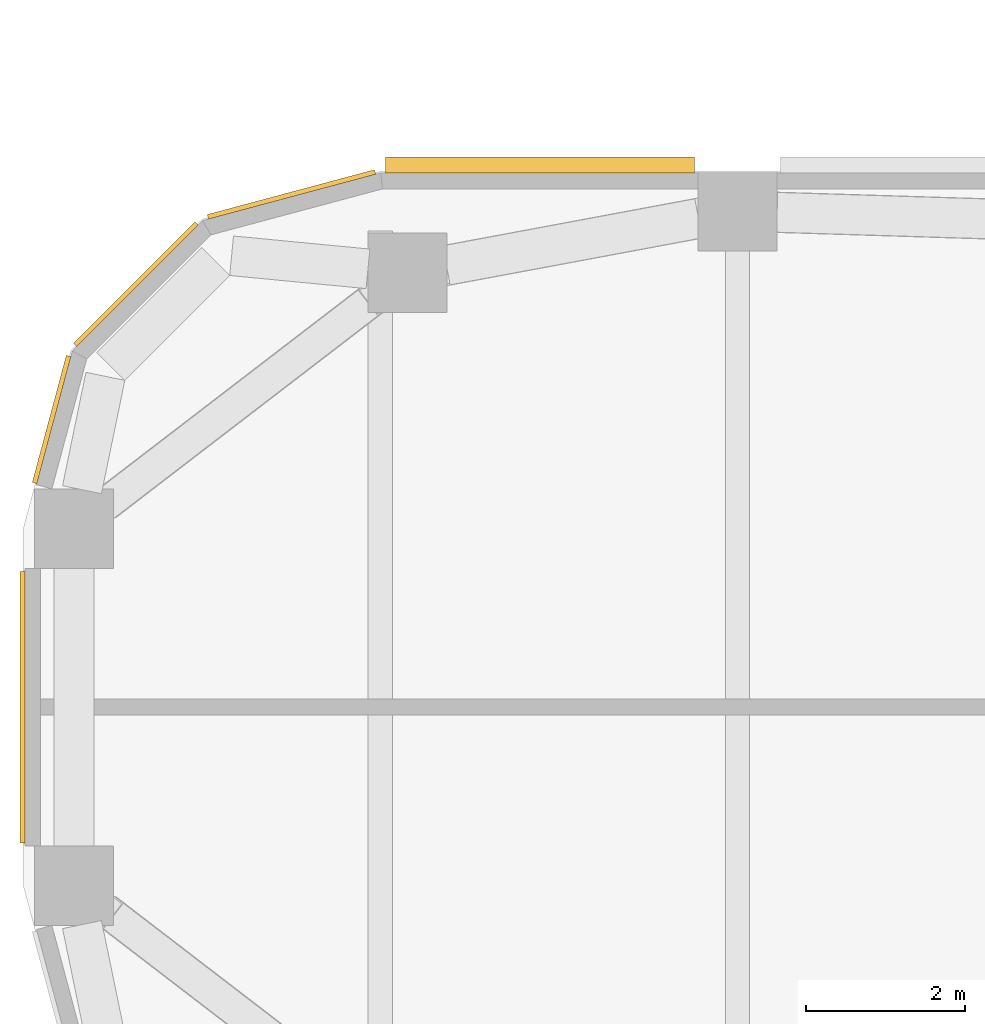
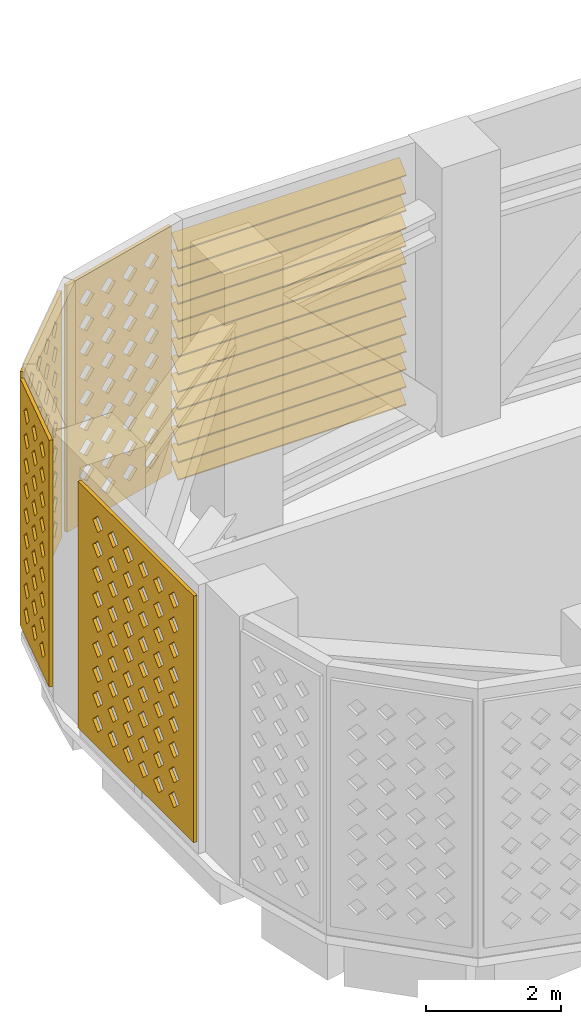
# One storey, part 14 of 20: 4 coverings, 1 shading device.
"""IFC4 building model written with IfcOpenShell, lengths in metres."""

from ifc_helpers import new_model, si_unit, direction, frame, origin, place, context, subcontext, project, spatial, polyline, outline, extrude, source, transform, mapped, material, layer, layer_set, type_object, element, save


model = new_model("IFC4")

# Units and contexts
model_context = context("Model", 3, precision=1e-05, world=origin(), true_north=direction((0.0, 1.0)))
body_context = subcontext(model_context, "Body", "Model", "MODEL_VIEW")
ifc_project = project(units=[si_unit("LENGTHUNIT", "METRE"), si_unit("AREAUNIT", "SQUARE_METRE"), si_unit("VOLUMEUNIT", "CUBIC_METRE"), si_unit("PLANEANGLEUNIT", "RADIAN"), si_unit("MASSUNIT", "GRAM", prefix="KILO")], contexts=[model_context])

# Site, building, storey
site_placement = place(None, origin())
site = spatial("IfcSite", under=ifc_project, at=site_placement, CompositionType="ELEMENT")
building_placement = place(site_placement, origin())
building = spatial("IfcBuilding", under=site, at=building_placement, Name="Zarbagh Exchange Tower", CompositionType="ELEMENT")
storey_placement = place(building_placement, frame((0.0, 0.0, 81.60009765625)))
storey = spatial("IfcBuildingStorey", under=building, at=storey_placement, Name="L18", CompositionType="ELEMENT", Elevation=81.60009765625)

# Coverings
ifc_material_1 = material(Name="Glass-fibre reinforced concrete GFRC C50/60", Category="concrete")
ifc_layer = layer(ifc_material_1, 0.06005859375)
ifc_layer_set = layer_set([ifc_layer], Name="SCREEN jali panel, GFRC")
covering_type = type_object("IfcCoveringType", Name="SCREEN jali panel, GFRC", PredefinedType="CLADDING", material=ifc_layer_set)
shared_shape_1 = source(origin(), body_context, "Body", "SweptSolid", [
    extrude(outline(polyline([(0.0, 0.0), (1.656005859375, 0.0), (1.656005859375, 4.449951171875), (0.0, 4.449951171875), (0.0, 0.0)]), holes=[polyline([(0.22802734375, 0.425048828125), (0.3779296875, 0.27490234375), (0.528076171875, 0.425048828125), (0.3779296875, 0.574951171875), (0.22802734375, 0.425048828125)]), polyline([(0.22802734375, 0.875), (0.3779296875, 0.72509765625), (0.528076171875, 0.875), (0.3779296875, 1.02490234375), (0.22802734375, 0.875)]), polyline([(0.22802734375, 1.324951171875), (0.3779296875, 1.175048828125), (0.528076171875, 1.324951171875), (0.3779296875, 1.47509765625), (0.22802734375, 1.324951171875)]), polyline([(0.22802734375, 1.77490234375), (0.3779296875, 1.625), (0.528076171875, 1.77490234375), (0.3779296875, 1.925048828125), (0.22802734375, 1.77490234375)]), polyline([(0.22802734375, 2.22509765625), (0.3779296875, 2.074951171875), (0.528076171875, 2.22509765625), (0.3779296875, 2.375), (0.22802734375, 2.22509765625)]), polyline([(0.22802734375, 2.675048828125), (0.3779296875, 2.52490234375), (0.528076171875, 2.675048828125), (0.3779296875, 2.824951171875), (0.22802734375, 2.675048828125)]), polyline([(0.22802734375, 3.125), (0.3779296875, 2.97509765625), (0.528076171875, 3.125), (0.3779296875, 3.27490234375), (0.22802734375, 3.125)]), polyline([(0.22802734375, 3.574951171875), (0.3779296875, 3.425048828125), (0.528076171875, 3.574951171875), (0.3779296875, 3.72509765625), (0.22802734375, 3.574951171875)]), polyline([(0.22802734375, 4.02490234375), (0.3779296875, 3.875), (0.528076171875, 4.02490234375), (0.3779296875, 4.175048828125), (0.22802734375, 4.02490234375)]), polyline([(0.677978515625, 0.425048828125), (0.827880859375, 0.27490234375), (0.97802734375, 0.425048828125), (0.827880859375, 0.574951171875), (0.677978515625, 0.425048828125)]), polyline([(0.677978515625, 0.875), (0.827880859375, 0.72509765625), (0.97802734375, 0.875), (0.827880859375, 1.02490234375), (0.677978515625, 0.875)]), polyline([(0.677978515625, 1.324951171875), (0.827880859375, 1.175048828125), (0.97802734375, 1.324951171875), (0.827880859375, 1.47509765625), (0.677978515625, 1.324951171875)]), polyline([(0.677978515625, 1.77490234375), (0.827880859375, 1.625), (0.97802734375, 1.77490234375), (0.827880859375, 1.925048828125), (0.677978515625, 1.77490234375)]), polyline([(0.677978515625, 2.22509765625), (0.827880859375, 2.074951171875), (0.97802734375, 2.22509765625), (0.827880859375, 2.375), (0.677978515625, 2.22509765625)]), polyline([(0.677978515625, 2.675048828125), (0.827880859375, 2.52490234375), (0.97802734375, 2.675048828125), (0.827880859375, 2.824951171875), (0.677978515625, 2.675048828125)]), polyline([(0.677978515625, 3.125), (0.827880859375, 2.97509765625), (0.97802734375, 3.125), (0.827880859375, 3.27490234375), (0.677978515625, 3.125)]), polyline([(0.677978515625, 3.574951171875), (0.827880859375, 3.425048828125), (0.97802734375, 3.574951171875), (0.827880859375, 3.72509765625), (0.677978515625, 3.574951171875)]), polyline([(0.677978515625, 4.02490234375), (0.827880859375, 3.875), (0.97802734375, 4.02490234375), (0.827880859375, 4.175048828125), (0.677978515625, 4.02490234375)]), polyline([(1.1279296875, 0.425048828125), (1.278076171875, 0.27490234375), (1.427978515625, 0.425048828125), (1.278076171875, 0.574951171875), (1.1279296875, 0.425048828125)]), polyline([(1.1279296875, 0.875), (1.278076171875, 0.72509765625), (1.427978515625, 0.875), (1.278076171875, 1.02490234375), (1.1279296875, 0.875)]), polyline([(1.1279296875, 1.324951171875), (1.278076171875, 1.175048828125), (1.427978515625, 1.324951171875), (1.278076171875, 1.47509765625), (1.1279296875, 1.324951171875)]), polyline([(1.1279296875, 1.77490234375), (1.278076171875, 1.625), (1.427978515625, 1.77490234375), (1.278076171875, 1.925048828125), (1.1279296875, 1.77490234375)]), polyline([(1.1279296875, 2.22509765625), (1.278076171875, 2.074951171875), (1.427978515625, 2.22509765625), (1.278076171875, 2.375), (1.1279296875, 2.22509765625)]), polyline([(1.1279296875, 2.675048828125), (1.278076171875, 2.52490234375), (1.427978515625, 2.675048828125), (1.278076171875, 2.824951171875), (1.1279296875, 2.675048828125)]), polyline([(1.1279296875, 3.125), (1.278076171875, 2.97509765625), (1.427978515625, 3.125), (1.278076171875, 3.27490234375), (1.1279296875, 3.125)]), polyline([(1.1279296875, 3.574951171875), (1.278076171875, 3.425048828125), (1.427978515625, 3.574951171875), (1.278076171875, 3.72509765625), (1.1279296875, 3.574951171875)]), polyline([(1.1279296875, 4.02490234375), (1.278076171875, 3.875), (1.427978515625, 4.02490234375), (1.278076171875, 4.175048828125), (1.1279296875, 4.02490234375)])]), origin(), (0.0, 0.0, 1.0), 0.06005859375),
])
placement = place(storey_placement, origin())
element("IfcCovering", 1, at=placement, inside=storey, type_object=covering_type, Name="JS29 jali screen", PredefinedType="CLADDING", context=body_context, shape_type="MappedRepresentation", body=[
    mapped(shared_shape_1, transform((-33.14892578125, 4.41552734375, 0.199951171875), x_axis=(-0.258825057666, -0.965924215207, 0.0), y_axis=(0.0, 0.0, 1.0), z_axis=(-0.965924215207, 0.258825057666, 0.0))),
])
shared_shape_2 = source(origin(), body_context, "Body", "SweptSolid", [
    extrude(outline(polyline([(0.0, 0.0), (2.1650390625, 0.0), (2.1650390625, 4.449951171875), (0.0, 4.449951171875), (0.0, 0.0)]), holes=[polyline([(0.257568359375, 0.425048828125), (0.407470703125, 0.27490234375), (0.5576171875, 0.425048828125), (0.407470703125, 0.574951171875), (0.257568359375, 0.425048828125)]), polyline([(0.257568359375, 0.875), (0.407470703125, 0.72509765625), (0.5576171875, 0.875), (0.407470703125, 1.02490234375), (0.257568359375, 0.875)]), polyline([(0.257568359375, 1.324951171875), (0.407470703125, 1.175048828125), (0.5576171875, 1.324951171875), (0.407470703125, 1.47509765625), (0.257568359375, 1.324951171875)]), polyline([(0.257568359375, 1.77490234375), (0.407470703125, 1.625), (0.5576171875, 1.77490234375), (0.407470703125, 1.925048828125), (0.257568359375, 1.77490234375)]), polyline([(0.257568359375, 2.22509765625), (0.407470703125, 2.074951171875), (0.5576171875, 2.22509765625), (0.407470703125, 2.375), (0.257568359375, 2.22509765625)]), polyline([(0.257568359375, 2.675048828125), (0.407470703125, 2.52490234375), (0.5576171875, 2.675048828125), (0.407470703125, 2.824951171875), (0.257568359375, 2.675048828125)]), polyline([(0.257568359375, 3.125), (0.407470703125, 2.97509765625), (0.5576171875, 3.125), (0.407470703125, 3.27490234375), (0.257568359375, 3.125)]), polyline([(0.257568359375, 3.574951171875), (0.407470703125, 3.425048828125), (0.5576171875, 3.574951171875), (0.407470703125, 3.72509765625), (0.257568359375, 3.574951171875)]), polyline([(0.257568359375, 4.02490234375), (0.407470703125, 3.875), (0.5576171875, 4.02490234375), (0.407470703125, 4.175048828125), (0.257568359375, 4.02490234375)]), polyline([(0.70751953125, 0.425048828125), (0.857421875, 0.27490234375), (1.007568359375, 0.425048828125), (0.857421875, 0.574951171875), (0.70751953125, 0.425048828125)]), polyline([(0.70751953125, 0.875), (0.857421875, 0.72509765625), (1.007568359375, 0.875), (0.857421875, 1.02490234375), (0.70751953125, 0.875)]), polyline([(0.70751953125, 1.324951171875), (0.857421875, 1.175048828125), (1.007568359375, 1.324951171875), (0.857421875, 1.47509765625), (0.70751953125, 1.324951171875)]), polyline([(0.70751953125, 1.77490234375), (0.857421875, 1.625), (1.007568359375, 1.77490234375), (0.857421875, 1.925048828125), (0.70751953125, 1.77490234375)]), polyline([(0.70751953125, 2.22509765625), (0.857421875, 2.074951171875), (1.007568359375, 2.22509765625), (0.857421875, 2.375), (0.70751953125, 2.22509765625)]), polyline([(0.70751953125, 2.675048828125), (0.857421875, 2.52490234375), (1.007568359375, 2.675048828125), (0.857421875, 2.824951171875), (0.70751953125, 2.675048828125)]), polyline([(0.70751953125, 3.125), (0.857421875, 2.97509765625), (1.007568359375, 3.125), (0.857421875, 3.27490234375), (0.70751953125, 3.125)]), polyline([(0.70751953125, 3.574951171875), (0.857421875, 3.425048828125), (1.007568359375, 3.574951171875), (0.857421875, 3.72509765625), (0.70751953125, 3.574951171875)]), polyline([(0.70751953125, 4.02490234375), (0.857421875, 3.875), (1.007568359375, 4.02490234375), (0.857421875, 4.175048828125), (0.70751953125, 4.02490234375)]), polyline([(1.157470703125, 0.425048828125), (1.3076171875, 0.27490234375), (1.45751953125, 0.425048828125), (1.3076171875, 0.574951171875), (1.157470703125, 0.425048828125)]), polyline([(1.157470703125, 0.875), (1.3076171875, 0.72509765625), (1.45751953125, 0.875), (1.3076171875, 1.02490234375), (1.157470703125, 0.875)]), polyline([(1.157470703125, 1.324951171875), (1.3076171875, 1.175048828125), (1.45751953125, 1.324951171875), (1.3076171875, 1.47509765625), (1.157470703125, 1.324951171875)]), polyline([(1.157470703125, 1.77490234375), (1.3076171875, 1.625), (1.45751953125, 1.77490234375), (1.3076171875, 1.925048828125), (1.157470703125, 1.77490234375)]), polyline([(1.157470703125, 2.22509765625), (1.3076171875, 2.074951171875), (1.45751953125, 2.22509765625), (1.3076171875, 2.375), (1.157470703125, 2.22509765625)]), polyline([(1.157470703125, 2.675048828125), (1.3076171875, 2.52490234375), (1.45751953125, 2.675048828125), (1.3076171875, 2.824951171875), (1.157470703125, 2.675048828125)]), polyline([(1.157470703125, 3.125), (1.3076171875, 2.97509765625), (1.45751953125, 3.125), (1.3076171875, 3.27490234375), (1.157470703125, 3.125)]), polyline([(1.157470703125, 3.574951171875), (1.3076171875, 3.425048828125), (1.45751953125, 3.574951171875), (1.3076171875, 3.72509765625), (1.157470703125, 3.574951171875)]), polyline([(1.157470703125, 4.02490234375), (1.3076171875, 3.875), (1.45751953125, 4.02490234375), (1.3076171875, 4.175048828125), (1.157470703125, 4.02490234375)]), polyline([(1.607421875, 0.425048828125), (1.757568359375, 0.27490234375), (1.907470703125, 0.425048828125), (1.757568359375, 0.574951171875), (1.607421875, 0.425048828125)]), polyline([(1.607421875, 0.875), (1.757568359375, 0.72509765625), (1.907470703125, 0.875), (1.757568359375, 1.02490234375), (1.607421875, 0.875)]), polyline([(1.607421875, 1.324951171875), (1.757568359375, 1.175048828125), (1.907470703125, 1.324951171875), (1.757568359375, 1.47509765625), (1.607421875, 1.324951171875)]), polyline([(1.607421875, 1.77490234375), (1.757568359375, 1.625), (1.907470703125, 1.77490234375), (1.757568359375, 1.925048828125), (1.607421875, 1.77490234375)]), polyline([(1.607421875, 2.22509765625), (1.757568359375, 2.074951171875), (1.907470703125, 2.22509765625), (1.757568359375, 2.375), (1.607421875, 2.22509765625)]), polyline([(1.607421875, 2.675048828125), (1.757568359375, 2.52490234375), (1.907470703125, 2.675048828125), (1.757568359375, 2.824951171875), (1.607421875, 2.675048828125)]), polyline([(1.607421875, 3.125), (1.757568359375, 2.97509765625), (1.907470703125, 3.125), (1.757568359375, 3.27490234375), (1.607421875, 3.125)]), polyline([(1.607421875, 3.574951171875), (1.757568359375, 3.425048828125), (1.907470703125, 3.574951171875), (1.757568359375, 3.72509765625), (1.607421875, 3.574951171875)]), polyline([(1.607421875, 4.02490234375), (1.757568359375, 3.875), (1.907470703125, 4.02490234375), (1.757568359375, 4.175048828125), (1.607421875, 4.02490234375)])]), origin(), (0.0, 0.0, 1.0), 0.06005859375),
])
element("IfcCovering", 2, at=placement, inside=storey, type_object=covering_type, Name="JS28 jali screen", PredefinedType="CLADDING", context=body_context, shape_type="MappedRepresentation", body=[
    mapped(shared_shape_2, transform((-31.5439453125, 6.074951171875, 0.199951171875), x_axis=(-0.707106781187, -0.707106781187, 0.0), y_axis=(0.0, 0.0, 1.0), z_axis=(-0.707106781187, 0.707106781187, 0.0))),
])
shared_shape_3 = source(origin(), body_context, "Body", "SweptSolid", [
    extrude(outline(polyline([(0.0, 0.0), (2.181396484375, 0.0), (2.181396484375, 4.449951171875), (0.0, 4.449951171875), (0.0, 0.0)]), holes=[polyline([(0.265625, 0.425048828125), (0.415771484375, 0.27490234375), (0.565673828125, 0.425048828125), (0.415771484375, 0.574951171875), (0.265625, 0.425048828125)]), polyline([(0.265625, 0.875), (0.415771484375, 0.72509765625), (0.565673828125, 0.875), (0.415771484375, 1.02490234375), (0.265625, 0.875)]), polyline([(0.265625, 1.324951171875), (0.415771484375, 1.175048828125), (0.565673828125, 1.324951171875), (0.415771484375, 1.47509765625), (0.265625, 1.324951171875)]), polyline([(0.265625, 1.77490234375), (0.415771484375, 1.625), (0.565673828125, 1.77490234375), (0.415771484375, 1.925048828125), (0.265625, 1.77490234375)]), polyline([(0.265625, 2.22509765625), (0.415771484375, 2.074951171875), (0.565673828125, 2.22509765625), (0.415771484375, 2.375), (0.265625, 2.22509765625)]), polyline([(0.265625, 2.675048828125), (0.415771484375, 2.52490234375), (0.565673828125, 2.675048828125), (0.415771484375, 2.824951171875), (0.265625, 2.675048828125)]), polyline([(0.265625, 3.125), (0.415771484375, 2.97509765625), (0.565673828125, 3.125), (0.415771484375, 3.27490234375), (0.265625, 3.125)]), polyline([(0.265625, 3.574951171875), (0.415771484375, 3.425048828125), (0.565673828125, 3.574951171875), (0.415771484375, 3.72509765625), (0.265625, 3.574951171875)]), polyline([(0.265625, 4.02490234375), (0.415771484375, 3.875), (0.565673828125, 4.02490234375), (0.415771484375, 4.175048828125), (0.265625, 4.02490234375)]), polyline([(0.7158203125, 0.425048828125), (0.86572265625, 0.27490234375), (1.015625, 0.425048828125), (0.86572265625, 0.574951171875), (0.7158203125, 0.425048828125)]), polyline([(0.7158203125, 0.875), (0.86572265625, 0.72509765625), (1.015625, 0.875), (0.86572265625, 1.02490234375), (0.7158203125, 0.875)]), polyline([(0.7158203125, 1.324951171875), (0.86572265625, 1.175048828125), (1.015625, 1.324951171875), (0.86572265625, 1.47509765625), (0.7158203125, 1.324951171875)]), polyline([(0.7158203125, 1.77490234375), (0.86572265625, 1.625), (1.015625, 1.77490234375), (0.86572265625, 1.925048828125), (0.7158203125, 1.77490234375)]), polyline([(0.7158203125, 2.22509765625), (0.86572265625, 2.074951171875), (1.015625, 2.22509765625), (0.86572265625, 2.375), (0.7158203125, 2.22509765625)]), polyline([(0.7158203125, 2.675048828125), (0.86572265625, 2.52490234375), (1.015625, 2.675048828125), (0.86572265625, 2.824951171875), (0.7158203125, 2.675048828125)]), polyline([(0.7158203125, 3.125), (0.86572265625, 2.97509765625), (1.015625, 3.125), (0.86572265625, 3.27490234375), (0.7158203125, 3.125)]), polyline([(0.7158203125, 3.574951171875), (0.86572265625, 3.425048828125), (1.015625, 3.574951171875), (0.86572265625, 3.72509765625), (0.7158203125, 3.574951171875)]), polyline([(0.7158203125, 4.02490234375), (0.86572265625, 3.875), (1.015625, 4.02490234375), (0.86572265625, 4.175048828125), (0.7158203125, 4.02490234375)]), polyline([(1.165771484375, 0.425048828125), (1.315673828125, 0.27490234375), (1.4658203125, 0.425048828125), (1.315673828125, 0.574951171875), (1.165771484375, 0.425048828125)]), polyline([(1.165771484375, 0.875), (1.315673828125, 0.72509765625), (1.4658203125, 0.875), (1.315673828125, 1.02490234375), (1.165771484375, 0.875)]), polyline([(1.165771484375, 1.324951171875), (1.315673828125, 1.175048828125), (1.4658203125, 1.324951171875), (1.315673828125, 1.47509765625), (1.165771484375, 1.324951171875)]), polyline([(1.165771484375, 1.77490234375), (1.315673828125, 1.625), (1.4658203125, 1.77490234375), (1.315673828125, 1.925048828125), (1.165771484375, 1.77490234375)]), polyline([(1.165771484375, 2.22509765625), (1.315673828125, 2.074951171875), (1.4658203125, 2.22509765625), (1.315673828125, 2.375), (1.165771484375, 2.22509765625)]), polyline([(1.165771484375, 2.675048828125), (1.315673828125, 2.52490234375), (1.4658203125, 2.675048828125), (1.315673828125, 2.824951171875), (1.165771484375, 2.675048828125)]), polyline([(1.165771484375, 3.125), (1.315673828125, 2.97509765625), (1.4658203125, 3.125), (1.315673828125, 3.27490234375), (1.165771484375, 3.125)]), polyline([(1.165771484375, 3.574951171875), (1.315673828125, 3.425048828125), (1.4658203125, 3.574951171875), (1.315673828125, 3.72509765625), (1.165771484375, 3.574951171875)]), polyline([(1.165771484375, 4.02490234375), (1.315673828125, 3.875), (1.4658203125, 4.02490234375), (1.315673828125, 4.175048828125), (1.165771484375, 4.02490234375)]), polyline([(1.61572265625, 0.425048828125), (1.765625, 0.27490234375), (1.915771484375, 0.425048828125), (1.765625, 0.574951171875), (1.61572265625, 0.425048828125)]), polyline([(1.61572265625, 0.875), (1.765625, 0.72509765625), (1.915771484375, 0.875), (1.765625, 1.02490234375), (1.61572265625, 0.875)]), polyline([(1.61572265625, 1.324951171875), (1.765625, 1.175048828125), (1.915771484375, 1.324951171875), (1.765625, 1.47509765625), (1.61572265625, 1.324951171875)]), polyline([(1.61572265625, 1.77490234375), (1.765625, 1.625), (1.915771484375, 1.77490234375), (1.765625, 1.925048828125), (1.61572265625, 1.77490234375)]), polyline([(1.61572265625, 2.22509765625), (1.765625, 2.074951171875), (1.915771484375, 2.22509765625), (1.765625, 2.375), (1.61572265625, 2.22509765625)]), polyline([(1.61572265625, 2.675048828125), (1.765625, 2.52490234375), (1.915771484375, 2.675048828125), (1.765625, 2.824951171875), (1.61572265625, 2.675048828125)]), polyline([(1.61572265625, 3.125), (1.765625, 2.97509765625), (1.915771484375, 3.125), (1.765625, 3.27490234375), (1.61572265625, 3.125)]), polyline([(1.61572265625, 3.574951171875), (1.765625, 3.425048828125), (1.915771484375, 3.574951171875), (1.765625, 3.72509765625), (1.61572265625, 3.574951171875)]), polyline([(1.61572265625, 4.02490234375), (1.765625, 3.875), (1.915771484375, 4.02490234375), (1.765625, 4.175048828125), (1.61572265625, 4.02490234375)])]), origin(), (0.0, 0.0, 1.0), 0.06005859375),
])
element("IfcCovering", 3, at=placement, inside=storey, type_object=covering_type, Name="JS27 jali screen", PredefinedType="CLADDING", context=body_context, shape_type="MappedRepresentation", body=[
    mapped(shared_shape_3, transform((-29.308349609375, 6.713623046875, 0.199951171875), x_axis=(-0.965924215207, -0.258825057666, 0.0), y_axis=(0.0, 0.0, 1.0), z_axis=(-0.258825057666, 0.965924215207, 0.0))),
])

# Shading device
ifc_material_2 = material(Name="Anodised aluminium", Category="aluminium")
shading_device_type = type_object("IfcShadingDeviceType", Name="LOUVRE plant louvre, fixed blades", PredefinedType="USERDEFINED", material=ifc_material_2)
shared_shape_4 = source(origin(), body_context, "Body", "SweptSolid", [
    extrude(outline(polyline([(0.0, 0.199951171875), (0.199951171875, 0.0), (0.199951171875, -0.02001953125), (0.0, 0.179931640625), (0.0, 0.199951171875)])), origin(), (0.0, 0.0, 1.0), 3.894287109375),
])
element("IfcShadingDevice", 4, at=placement, inside=storey, type_object=shading_device_type, Name="LV06 plant louvre", ObjectType="LOUVRE", PredefinedType="USERDEFINED", context=body_context, shape_type="MappedRepresentation", body=[
    mapped(shared_shape_4, transform((-25.2900390625, 6.72998046875, 0.199951171875), x_axis=(0.0, 1.0, 0.0), y_axis=(0.0, 0.0, -1.0), z_axis=(-1.0, 0.0, 0.0))),
    mapped(shared_shape_4, transform((-25.2900390625, 6.72998046875, 0.517822265625), x_axis=(0.0, 1.0, 0.0), y_axis=(0.0, 0.0, -1.0), z_axis=(-1.0, 0.0, 0.0))),
    mapped(shared_shape_4, transform((-25.2900390625, 6.72998046875, 0.835693359375), x_axis=(0.0, 1.0, 0.0), y_axis=(0.0, 0.0, -1.0), z_axis=(-1.0, 0.0, 0.0))),
    mapped(shared_shape_4, transform((-25.2900390625, 6.72998046875, 1.153564453125), x_axis=(0.0, 1.0, 0.0), y_axis=(0.0, 0.0, -1.0), z_axis=(-1.0, 0.0, 0.0))),
    mapped(shared_shape_4, transform((-25.2900390625, 6.72998046875, 1.471435546875), x_axis=(0.0, 1.0, 0.0), y_axis=(0.0, 0.0, -1.0), z_axis=(-1.0, 0.0, 0.0))),
    mapped(shared_shape_4, transform((-25.2900390625, 6.72998046875, 1.789306640625), x_axis=(0.0, 1.0, 0.0), y_axis=(0.0, 0.0, -1.0), z_axis=(-1.0, 0.0, 0.0))),
    mapped(shared_shape_4, transform((-25.2900390625, 6.72998046875, 2.10693359375), x_axis=(0.0, 1.0, 0.0), y_axis=(0.0, 0.0, -1.0), z_axis=(-1.0, 0.0, 0.0))),
    mapped(shared_shape_4, transform((-25.2900390625, 6.72998046875, 2.4248046875), x_axis=(0.0, 1.0, 0.0), y_axis=(0.0, 0.0, -1.0), z_axis=(-1.0, 0.0, 0.0))),
    mapped(shared_shape_4, transform((-25.2900390625, 6.72998046875, 2.74267578125), x_axis=(0.0, 1.0, 0.0), y_axis=(0.0, 0.0, -1.0), z_axis=(-1.0, 0.0, 0.0))),
    mapped(shared_shape_4, transform((-25.2900390625, 6.72998046875, 3.060546875), x_axis=(0.0, 1.0, 0.0), y_axis=(0.0, 0.0, -1.0), z_axis=(-1.0, 0.0, 0.0))),
    mapped(shared_shape_4, transform((-25.2900390625, 6.72998046875, 3.37841796875), x_axis=(0.0, 1.0, 0.0), y_axis=(0.0, 0.0, -1.0), z_axis=(-1.0, 0.0, 0.0))),
    mapped(shared_shape_4, transform((-25.2900390625, 6.72998046875, 3.6962890625), x_axis=(0.0, 1.0, 0.0), y_axis=(0.0, 0.0, -1.0), z_axis=(-1.0, 0.0, 0.0))),
    mapped(shared_shape_4, transform((-25.2900390625, 6.72998046875, 4.01416015625), x_axis=(0.0, 1.0, 0.0), y_axis=(0.0, 0.0, -1.0), z_axis=(-1.0, 0.0, 0.0))),
    mapped(shared_shape_4, transform((-25.2900390625, 6.72998046875, 4.33203125), x_axis=(0.0, 1.0, 0.0), y_axis=(0.0, 0.0, -1.0), z_axis=(-1.0, 0.0, 0.0))),
])

# Covering
shared_shape_5 = source(origin(), body_context, "Body", "SweptSolid", [
    extrude(outline(polyline([(0.0, 0.0), (3.419921875, 0.0), (3.419921875, 4.449951171875), (0.0, 4.449951171875), (0.0, 0.0)]), holes=[polyline([(0.43505859375, 0.425048828125), (0.5849609375, 0.27490234375), (0.735107421875, 0.425048828125), (0.5849609375, 0.574951171875), (0.43505859375, 0.425048828125)]), polyline([(0.43505859375, 0.875), (0.5849609375, 0.72509765625), (0.735107421875, 0.875), (0.5849609375, 1.02490234375), (0.43505859375, 0.875)]), polyline([(0.43505859375, 1.324951171875), (0.5849609375, 1.175048828125), (0.735107421875, 1.324951171875), (0.5849609375, 1.47509765625), (0.43505859375, 1.324951171875)]), polyline([(0.43505859375, 1.77490234375), (0.5849609375, 1.625), (0.735107421875, 1.77490234375), (0.5849609375, 1.925048828125), (0.43505859375, 1.77490234375)]), polyline([(0.43505859375, 2.22509765625), (0.5849609375, 2.074951171875), (0.735107421875, 2.22509765625), (0.5849609375, 2.375), (0.43505859375, 2.22509765625)]), polyline([(0.43505859375, 2.675048828125), (0.5849609375, 2.52490234375), (0.735107421875, 2.675048828125), (0.5849609375, 2.824951171875), (0.43505859375, 2.675048828125)]), polyline([(0.43505859375, 3.125), (0.5849609375, 2.97509765625), (0.735107421875, 3.125), (0.5849609375, 3.27490234375), (0.43505859375, 3.125)]), polyline([(0.43505859375, 3.574951171875), (0.5849609375, 3.425048828125), (0.735107421875, 3.574951171875), (0.5849609375, 3.72509765625), (0.43505859375, 3.574951171875)]), polyline([(0.43505859375, 4.02490234375), (0.5849609375, 3.875), (0.735107421875, 4.02490234375), (0.5849609375, 4.175048828125), (0.43505859375, 4.02490234375)]), polyline([(0.885009765625, 0.425048828125), (1.034912109375, 0.27490234375), (1.18505859375, 0.425048828125), (1.034912109375, 0.574951171875), (0.885009765625, 0.425048828125)]), polyline([(0.885009765625, 0.875), (1.034912109375, 0.72509765625), (1.18505859375, 0.875), (1.034912109375, 1.02490234375), (0.885009765625, 0.875)]), polyline([(0.885009765625, 1.324951171875), (1.034912109375, 1.175048828125), (1.18505859375, 1.324951171875), (1.034912109375, 1.47509765625), (0.885009765625, 1.324951171875)]), polyline([(0.885009765625, 1.77490234375), (1.034912109375, 1.625), (1.18505859375, 1.77490234375), (1.034912109375, 1.925048828125), (0.885009765625, 1.77490234375)]), polyline([(0.885009765625, 2.22509765625), (1.034912109375, 2.074951171875), (1.18505859375, 2.22509765625), (1.034912109375, 2.375), (0.885009765625, 2.22509765625)]), polyline([(0.885009765625, 2.675048828125), (1.034912109375, 2.52490234375), (1.18505859375, 2.675048828125), (1.034912109375, 2.824951171875), (0.885009765625, 2.675048828125)]), polyline([(0.885009765625, 3.125), (1.034912109375, 2.97509765625), (1.18505859375, 3.125), (1.034912109375, 3.27490234375), (0.885009765625, 3.125)]), polyline([(0.885009765625, 3.574951171875), (1.034912109375, 3.425048828125), (1.18505859375, 3.574951171875), (1.034912109375, 3.72509765625), (0.885009765625, 3.574951171875)]), polyline([(0.885009765625, 4.02490234375), (1.034912109375, 3.875), (1.18505859375, 4.02490234375), (1.034912109375, 4.175048828125), (0.885009765625, 4.02490234375)]), polyline([(1.3349609375, 0.425048828125), (1.485107421875, 0.27490234375), (1.635009765625, 0.425048828125), (1.485107421875, 0.574951171875), (1.3349609375, 0.425048828125)]), polyline([(1.3349609375, 0.875), (1.485107421875, 0.72509765625), (1.635009765625, 0.875), (1.485107421875, 1.02490234375), (1.3349609375, 0.875)]), polyline([(1.3349609375, 1.324951171875), (1.485107421875, 1.175048828125), (1.635009765625, 1.324951171875), (1.485107421875, 1.47509765625), (1.3349609375, 1.324951171875)]), polyline([(1.3349609375, 1.77490234375), (1.485107421875, 1.625), (1.635009765625, 1.77490234375), (1.485107421875, 1.925048828125), (1.3349609375, 1.77490234375)]), polyline([(1.3349609375, 2.22509765625), (1.485107421875, 2.074951171875), (1.635009765625, 2.22509765625), (1.485107421875, 2.375), (1.3349609375, 2.22509765625)]), polyline([(1.3349609375, 2.675048828125), (1.485107421875, 2.52490234375), (1.635009765625, 2.675048828125), (1.485107421875, 2.824951171875), (1.3349609375, 2.675048828125)]), polyline([(1.3349609375, 3.125), (1.485107421875, 2.97509765625), (1.635009765625, 3.125), (1.485107421875, 3.27490234375), (1.3349609375, 3.125)]), polyline([(1.3349609375, 3.574951171875), (1.485107421875, 3.425048828125), (1.635009765625, 3.574951171875), (1.485107421875, 3.72509765625), (1.3349609375, 3.574951171875)]), polyline([(1.3349609375, 4.02490234375), (1.485107421875, 3.875), (1.635009765625, 4.02490234375), (1.485107421875, 4.175048828125), (1.3349609375, 4.02490234375)]), polyline([(1.784912109375, 0.425048828125), (1.93505859375, 0.27490234375), (2.0849609375, 0.425048828125), (1.93505859375, 0.574951171875), (1.784912109375, 0.425048828125)]), polyline([(1.784912109375, 0.875), (1.93505859375, 0.72509765625), (2.0849609375, 0.875), (1.93505859375, 1.02490234375), (1.784912109375, 0.875)]), polyline([(1.784912109375, 1.324951171875), (1.93505859375, 1.175048828125), (2.0849609375, 1.324951171875), (1.93505859375, 1.47509765625), (1.784912109375, 1.324951171875)]), polyline([(1.784912109375, 1.77490234375), (1.93505859375, 1.625), (2.0849609375, 1.77490234375), (1.93505859375, 1.925048828125), (1.784912109375, 1.77490234375)]), polyline([(1.784912109375, 2.22509765625), (1.93505859375, 2.074951171875), (2.0849609375, 2.22509765625), (1.93505859375, 2.375), (1.784912109375, 2.22509765625)]), polyline([(1.784912109375, 2.675048828125), (1.93505859375, 2.52490234375), (2.0849609375, 2.675048828125), (1.93505859375, 2.824951171875), (1.784912109375, 2.675048828125)]), polyline([(1.784912109375, 3.125), (1.93505859375, 2.97509765625), (2.0849609375, 3.125), (1.93505859375, 3.27490234375), (1.784912109375, 3.125)]), polyline([(1.784912109375, 3.574951171875), (1.93505859375, 3.425048828125), (2.0849609375, 3.574951171875), (1.93505859375, 3.72509765625), (1.784912109375, 3.574951171875)]), polyline([(1.784912109375, 4.02490234375), (1.93505859375, 3.875), (2.0849609375, 4.02490234375), (1.93505859375, 4.175048828125), (1.784912109375, 4.02490234375)]), polyline([(2.235107421875, 0.425048828125), (2.385009765625, 0.27490234375), (2.534912109375, 0.425048828125), (2.385009765625, 0.574951171875), (2.235107421875, 0.425048828125)]), polyline([(2.235107421875, 0.875), (2.385009765625, 0.72509765625), (2.534912109375, 0.875), (2.385009765625, 1.02490234375), (2.235107421875, 0.875)]), polyline([(2.235107421875, 1.324951171875), (2.385009765625, 1.175048828125), (2.534912109375, 1.324951171875), (2.385009765625, 1.47509765625), (2.235107421875, 1.324951171875)]), polyline([(2.235107421875, 1.77490234375), (2.385009765625, 1.625), (2.534912109375, 1.77490234375), (2.385009765625, 1.925048828125), (2.235107421875, 1.77490234375)]), polyline([(2.235107421875, 2.22509765625), (2.385009765625, 2.074951171875), (2.534912109375, 2.22509765625), (2.385009765625, 2.375), (2.235107421875, 2.22509765625)]), polyline([(2.235107421875, 2.675048828125), (2.385009765625, 2.52490234375), (2.534912109375, 2.675048828125), (2.385009765625, 2.824951171875), (2.235107421875, 2.675048828125)]), polyline([(2.235107421875, 3.125), (2.385009765625, 2.97509765625), (2.534912109375, 3.125), (2.385009765625, 3.27490234375), (2.235107421875, 3.125)]), polyline([(2.235107421875, 3.574951171875), (2.385009765625, 3.425048828125), (2.534912109375, 3.574951171875), (2.385009765625, 3.72509765625), (2.235107421875, 3.574951171875)]), polyline([(2.235107421875, 4.02490234375), (2.385009765625, 3.875), (2.534912109375, 4.02490234375), (2.385009765625, 4.175048828125), (2.235107421875, 4.02490234375)]), polyline([(2.68505859375, 0.425048828125), (2.8349609375, 0.27490234375), (2.985107421875, 0.425048828125), (2.8349609375, 0.574951171875), (2.68505859375, 0.425048828125)]), polyline([(2.68505859375, 0.875), (2.8349609375, 0.72509765625), (2.985107421875, 0.875), (2.8349609375, 1.02490234375), (2.68505859375, 0.875)]), polyline([(2.68505859375, 1.324951171875), (2.8349609375, 1.175048828125), (2.985107421875, 1.324951171875), (2.8349609375, 1.47509765625), (2.68505859375, 1.324951171875)]), polyline([(2.68505859375, 1.77490234375), (2.8349609375, 1.625), (2.985107421875, 1.77490234375), (2.8349609375, 1.925048828125), (2.68505859375, 1.77490234375)]), polyline([(2.68505859375, 2.22509765625), (2.8349609375, 2.074951171875), (2.985107421875, 2.22509765625), (2.8349609375, 2.375), (2.68505859375, 2.22509765625)]), polyline([(2.68505859375, 2.675048828125), (2.8349609375, 2.52490234375), (2.985107421875, 2.675048828125), (2.8349609375, 2.824951171875), (2.68505859375, 2.675048828125)]), polyline([(2.68505859375, 3.125), (2.8349609375, 2.97509765625), (2.985107421875, 3.125), (2.8349609375, 3.27490234375), (2.68505859375, 3.125)]), polyline([(2.68505859375, 3.574951171875), (2.8349609375, 3.425048828125), (2.985107421875, 3.574951171875), (2.8349609375, 3.72509765625), (2.68505859375, 3.574951171875)]), polyline([(2.68505859375, 4.02490234375), (2.8349609375, 3.875), (2.985107421875, 4.02490234375), (2.8349609375, 4.175048828125), (2.68505859375, 4.02490234375)])]), origin(), (0.0, 0.0, 1.0), 0.06005859375),
])
element("IfcCovering", 5, at=placement, inside=storey, type_object=covering_type, Name="JS30 jali screen", PredefinedType="CLADDING", context=body_context, shape_type="MappedRepresentation", body=[
    mapped(shared_shape_5, transform((-33.72998046875, 1.7099609375, 0.199951171875), x_axis=(0.0, -1.0, 0.0), y_axis=(0.0, 0.0, 1.0), z_axis=(-1.0, 0.0, 0.0))),
])

save(model, "model.ifc")
